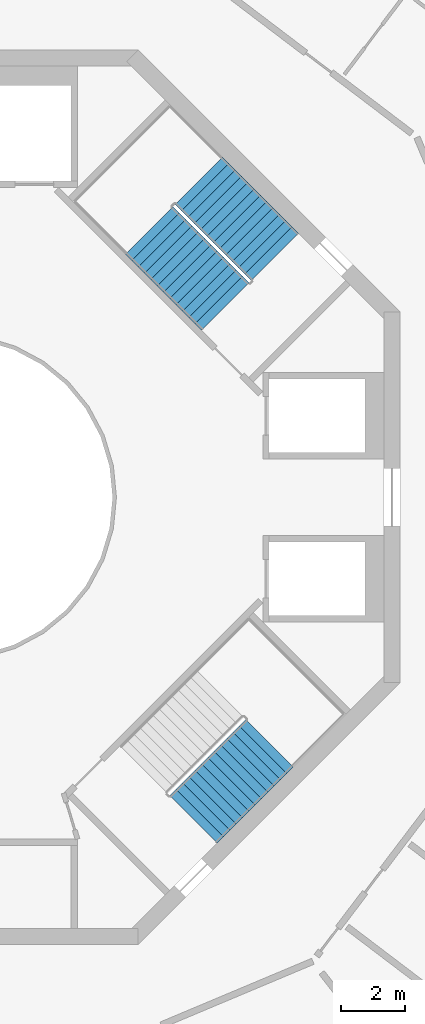
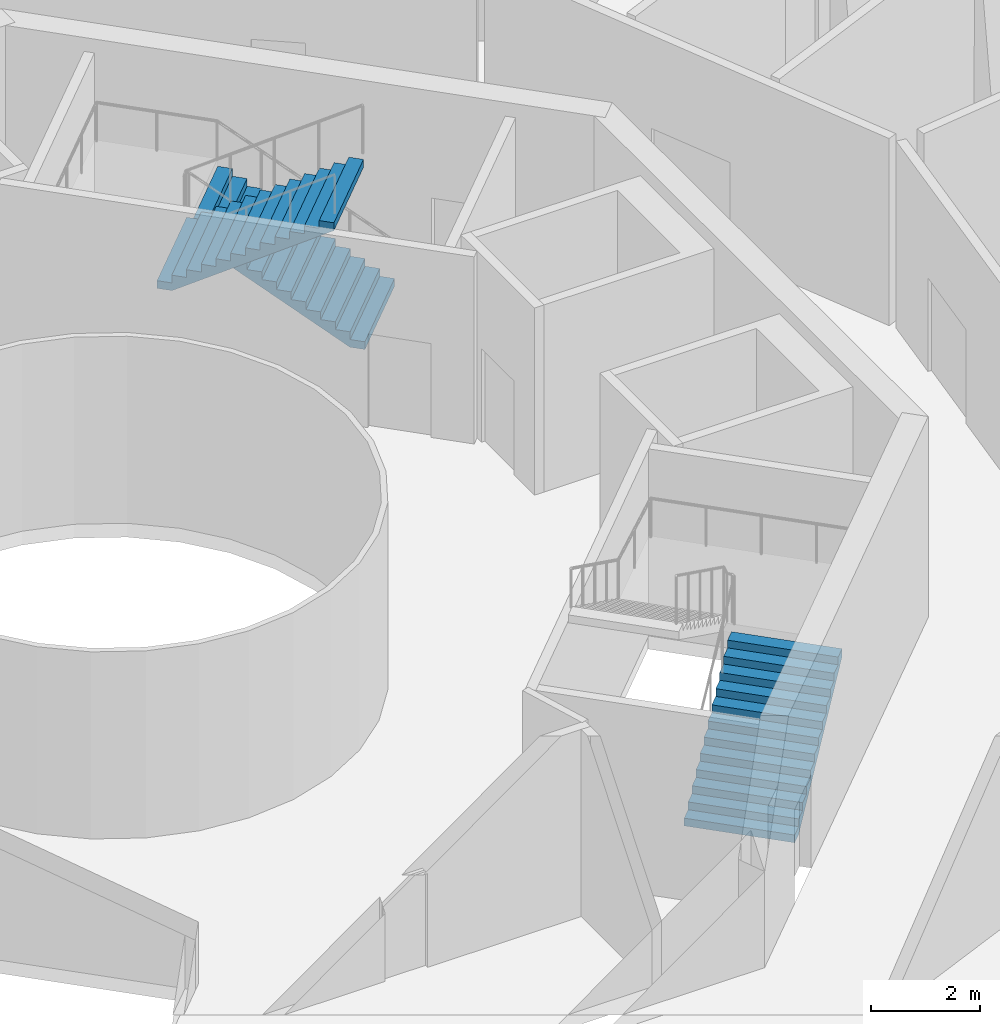
# One storey, part 17 of 18: 3 stair flights, 2 elements without a shape of their own.
"""IFC4 building model written with IfcOpenShell, lengths in metres."""

from ifc_helpers import new_model, si_unit, direction, frame, origin, place, context, subcontext, project, spatial, triangles, material, type_object, element, aggregate, save


model = new_model("IFC4")

# Units and contexts
model_context = context("Model", 3, precision=1e-05, world=origin(), true_north=direction((0.0, 1.0)))
body_context = subcontext(model_context, "Body", "Model", "MODEL_VIEW")
ifc_project = project(units=[si_unit("LENGTHUNIT", "METRE"), si_unit("AREAUNIT", "SQUARE_METRE"), si_unit("VOLUMEUNIT", "CUBIC_METRE"), si_unit("PLANEANGLEUNIT", "RADIAN"), si_unit("MASSUNIT", "GRAM", prefix="KILO")], contexts=[model_context])

# Site, building, storey
site_placement = place(None, origin())
site = spatial("IfcSite", under=ifc_project, at=site_placement, CompositionType="ELEMENT")
building_placement = place(site_placement, origin())
building = spatial("IfcBuilding", under=site, at=building_placement, Name="Verdalira Terraces Hotel", CompositionType="ELEMENT")
storey_placement = place(building_placement, frame((0.0, 0.0, 248.0)))
storey = spatial("IfcBuildingStorey", under=building, at=storey_placement, Name="L61", CompositionType="ELEMENT", Elevation=248.0)

# Stair, stair flights
ifc_material_1 = material(Name="Concrete C40", Category="concrete")
stair_type = type_object("IfcStairType", Name="Core stair 26 risers 2100 mm wide", PredefinedType="HALF_TURN_STAIR", material=ifc_material_1)
stair_1_placement = place(storey_placement, origin())
stair_1 = element("IfcStair", 1, at=stair_1_placement, inside=storey, type_object=stair_type, Name="L61 Exit stair ST1", PredefinedType="HALF_TURN_STAIR")
ifc_material_2 = material(Name="Concrete C40", Category="concrete")
stair_flight_type = type_object("IfcStairFlightType", Name="Core stair flight 26 risers 2100 mm wide", PredefinedType="STRAIGHT", material=ifc_material_2)
stair_flight_1_placement = place(storey_placement, frame((10.076172, 7.530762, 0.0), z_axis=(0.0, 0.0, 1.0), x_axis=(-0.707106781, 0.707106781, 0.0)))
stair_flight_1 = element("IfcStairFlight", 2, at=stair_flight_1_placement, type_object=stair_flight_type, Name="ST1 flight 1", NumberOfRisers=13, NumberOfTreads=12, PredefinedType="STRAIGHT", RiserHeight=0.173076923, TreadLength=0.28, context=body_context, shape_type="Tessellation", body=[
    triangles([(0.0, 1.050049, 0.0), (0.285156, 1.050049, 0.0), (3.360107, 1.050049, 1.900635), (0.0, -1.050049, 0.0), (0.285156, -1.050049, 0.0), (3.360107, -1.050049, 1.900635), (3.360107, 1.050049, 2.076904), (3.080078, 1.050049, 2.076904), (3.360107, -1.050049, 2.076904), (3.080078, -1.050049, 2.076904), (3.080078, 1.050049, 1.903809), (3.080078, -1.050049, 1.903809), (2.800049, 1.050049, 1.903809), (2.800049, -1.050049, 1.903809), (2.800049, 1.050049, 1.730713), (2.800049, -1.050049, 1.730713), (2.52002, 1.050049, 1.730713), (2.52002, 1.050049, 1.557617), (2.52002, -1.050049, 1.730713), (2.52002, -1.050049, 1.557617), (2.23999, 1.050049, 1.557617), (2.23999, 1.050049, 1.384521), (2.23999, -1.050049, 1.557617), (2.23999, -1.050049, 1.384521), (1.959961, 1.050049, 1.384521), (1.959961, 1.050049, 1.211426), (1.959961, -1.050049, 1.384521), (1.959961, -1.050049, 1.211426), (1.679932, 1.050049, 1.211426), (1.679932, 1.050049, 1.038574), (1.679932, -1.050049, 1.211426), (1.679932, -1.050049, 1.038574), (1.399902, 1.050049, 1.038574), (1.399902, 1.050049, 0.865479), (1.399902, -1.050049, 1.038574), (1.399902, -1.050049, 0.865479), (1.120117, 1.050049, 0.865479), (1.120117, 1.050049, 0.692383), (1.120117, -1.050049, 0.865479), (1.120117, -1.050049, 0.692383), (0.840088, 1.050049, 0.692383), (0.840088, 1.050049, 0.519287), (0.840088, -1.050049, 0.692383), (0.840088, -1.050049, 0.519287), (0.560059, 1.050049, 0.519287), (0.560059, 1.050049, 0.346191), (0.560059, -1.050049, 0.519287), (0.560059, -1.050049, 0.346191), (0.280029, 1.050049, 0.346191), (0.280029, 1.050049, 0.173096), (0.280029, -1.050049, 0.346191), (0.280029, -1.050049, 0.173096), (0.0, 1.050049, 0.173096), (0.0, -1.050049, 0.173096), (0.0, -0.984421, 0.0), (0.0, -0.984421, 0.173096), (0.0, -0.918793, 0.0), (0.0, -0.918793, 0.173096), (0.0, -0.853165, 0.0), (0.0, -0.853165, 0.173096), (0.0, -0.787537, 0.0), (0.0, -0.787537, 0.173096), (0.0, -0.721909, 0.0), (0.0, -0.721909, 0.173096), (0.0, -0.656281, 0.0), (0.0, -0.656281, 0.173096), (0.0, -0.590652, 0.0), (0.0, -0.590652, 0.173096), (0.0, -0.525024, 0.0), (0.0, -0.525024, 0.173096), (0.0, -0.459396, 0.0), (0.0, -0.459396, 0.173096), (0.0, -0.393768, 0.0), (0.0, -0.393768, 0.173096), (0.0, -0.32814, 0.0), (0.0, -0.32814, 0.173096), (0.0, -0.262512, 0.0), (0.0, -0.262512, 0.173096), (0.0, -0.196884, 0.0), (0.0, -0.196884, 0.173096), (0.0, -0.131256, 0.0), (0.0, -0.131256, 0.173096), (0.0, -0.065628, 0.0), (0.0, -0.065628, 0.173096), (0.0, 0.0, 0.0), (0.0, 0.0, 0.173096), (0.0, 0.065628, 0.0), (0.0, 0.065628, 0.173096), (0.0, 0.131256, 0.0), (0.0, 0.131256, 0.173096), (0.0, 0.196884, 0.0), (0.0, 0.196884, 0.173096), (0.0, 0.262512, 0.0), (0.0, 0.262512, 0.173096), (0.0, 0.32814, 0.0), (0.0, 0.32814, 0.173096), (0.0, 0.393768, 0.0), (0.0, 0.393768, 0.173096), (0.0, 0.459396, 0.0), (0.0, 0.459396, 0.173096), (0.0, 0.525024, 0.0), (0.0, 0.525024, 0.173096), (0.0, 0.590652, 0.0), (0.0, 0.590652, 0.173096), (0.0, 0.656281, 0.0), (0.0, 0.656281, 0.173096), (0.0, 0.721909, 0.0), (0.0, 0.721909, 0.173096), (0.0, 0.787537, 0.0), (0.0, 0.787537, 0.173096), (0.0, 0.853165, 0.0), (0.0, 0.853165, 0.173096), (0.0, 0.918793, 0.0), (0.0, 0.918793, 0.173096), (0.0, 0.984421, 0.0), (0.0, 0.984421, 0.173096), (3.360107, -0.984421, 2.076904), (3.360107, -0.918793, 2.076904), (3.360107, -0.853165, 2.076904), (3.360107, -0.787537, 2.076904), (3.360107, -0.721909, 2.076904), (3.360107, -0.656281, 2.076904), (3.360107, -0.590652, 2.076904), (3.360107, -0.525024, 2.076904), (3.360107, -0.459396, 2.076904), (3.360107, -0.393768, 2.076904), (3.360107, -0.32814, 2.076904), (3.360107, -0.262512, 2.076904), (3.360107, -0.196884, 2.076904), (3.360107, -0.131256, 2.076904), (3.360107, -0.065628, 2.076904), (3.360107, 0.0, 2.076904), (3.360107, 0.065628, 2.076904), (3.360107, 0.131256, 2.076904), (3.360107, 0.196884, 2.076904), (3.360107, 0.262512, 2.076904), (3.360107, 0.32814, 2.076904), (3.360107, 0.393768, 2.076904), (3.360107, 0.459396, 2.076904), (3.360107, 0.525024, 2.076904), (3.360107, 0.590652, 2.076904), (3.360107, 0.656281, 2.076904), (3.360107, 0.721909, 2.076904), (3.360107, 0.787537, 2.076904), (3.360107, 0.853165, 2.076904), (3.360107, 0.918793, 2.076904), (3.360107, 0.984421, 2.076904), (3.360107, -0.984421, 1.900635), (3.360107, -0.918793, 1.900635), (3.360107, -0.853165, 1.900635), (3.360107, -0.787537, 1.900635), (3.360107, -0.721909, 1.900635), (3.360107, -0.656281, 1.900635), (3.360107, -0.590652, 1.900635), (3.360107, -0.525024, 1.900635), (3.360107, -0.459396, 1.900635), (3.360107, -0.393768, 1.900635), (3.360107, -0.32814, 1.900635), (3.360107, -0.262512, 1.900635), (3.360107, -0.196884, 1.900635), (3.360107, -0.131256, 1.900635), (3.360107, -0.065628, 1.900635), (3.360107, 0.0, 1.900635), (3.360107, 0.065628, 1.900635), (3.360107, 0.131256, 1.900635), (3.360107, 0.196884, 1.900635), (3.360107, 0.262512, 1.900635), (3.360107, 0.32814, 1.900635), (3.360107, 0.393768, 1.900635), (3.360107, 0.459396, 1.900635), (3.360107, 0.525024, 1.900635), (3.360107, 0.590652, 1.900635), (3.360107, 0.656281, 1.900635), (3.360107, 0.721909, 1.900635), (3.360107, 0.787537, 1.900635), (3.360107, 0.853165, 1.900635), (3.360107, 0.918793, 1.900635), (3.360107, 0.984421, 1.900635)], [[1, 3, 2], [4, 5, 6], [3, 8, 7], [6, 9, 10], [3, 11, 8], [6, 10, 12], [3, 13, 11], [6, 12, 14], [3, 15, 13], [6, 14, 16], [15, 18, 17], [16, 19, 20], [3, 18, 15], [6, 16, 20], [18, 22, 21], [20, 23, 24], [3, 22, 18], [6, 20, 24], [22, 26, 25], [24, 27, 28], [3, 26, 22], [6, 24, 28], [1, 26, 3], [4, 6, 28], [26, 30, 29], [28, 31, 32], [30, 34, 33], [32, 35, 36], [26, 34, 30], [28, 32, 36], [34, 38, 37], [36, 39, 40], [26, 38, 34], [28, 36, 40], [38, 42, 41], [40, 43, 44], [26, 42, 38], [28, 40, 44], [42, 46, 45], [44, 47, 48], [26, 46, 42], [28, 44, 48], [46, 50, 49], [48, 51, 52], [26, 50, 46], [28, 48, 52], [1, 50, 26], [4, 28, 52], [50, 1, 53], [52, 54, 4], [4, 56, 55], [4, 54, 56], [55, 58, 57], [55, 56, 58], [57, 60, 59], [57, 58, 60], [59, 62, 61], [59, 60, 62], [61, 64, 63], [61, 62, 64], [63, 66, 65], [63, 64, 66], [65, 68, 67], [65, 66, 68], [67, 70, 69], [67, 68, 70], [69, 72, 71], [69, 70, 72], [71, 74, 73], [71, 72, 74], [73, 76, 75], [73, 74, 76], [75, 78, 77], [75, 76, 78], [77, 80, 79], [77, 78, 80], [79, 82, 81], [79, 80, 82], [81, 84, 83], [81, 82, 84], [83, 86, 85], [83, 84, 86], [85, 88, 87], [85, 86, 88], [87, 90, 89], [87, 88, 90], [89, 92, 91], [89, 90, 92], [91, 94, 93], [91, 92, 94], [93, 96, 95], [93, 94, 96], [95, 98, 97], [95, 96, 98], [97, 100, 99], [97, 98, 100], [99, 102, 101], [99, 100, 102], [101, 104, 103], [101, 102, 104], [103, 106, 105], [103, 104, 106], [105, 108, 107], [105, 106, 108], [107, 110, 109], [107, 108, 110], [109, 112, 111], [109, 110, 112], [111, 114, 113], [111, 112, 114], [113, 116, 115], [113, 114, 116], [115, 53, 1], [115, 116, 53], [54, 52, 56], [56, 52, 58], [58, 52, 60], [60, 52, 62], [62, 52, 64], [64, 52, 66], [66, 52, 68], [68, 52, 70], [70, 52, 72], [72, 52, 74], [74, 52, 76], [76, 52, 78], [78, 52, 80], [80, 52, 82], [82, 52, 84], [84, 52, 86], [86, 52, 88], [88, 52, 90], [90, 52, 92], [92, 52, 94], [94, 52, 96], [96, 52, 98], [98, 52, 100], [100, 52, 102], [102, 52, 104], [104, 52, 106], [106, 52, 108], [108, 52, 110], [110, 52, 112], [112, 52, 114], [114, 52, 116], [116, 52, 53], [53, 52, 50], [52, 49, 50], [52, 51, 49], [51, 46, 49], [51, 48, 46], [48, 45, 46], [48, 47, 45], [47, 42, 45], [47, 44, 42], [44, 41, 42], [44, 43, 41], [43, 38, 41], [43, 40, 38], [40, 37, 38], [40, 39, 37], [39, 34, 37], [39, 36, 34], [36, 33, 34], [36, 35, 33], [35, 30, 33], [35, 32, 30], [32, 29, 30], [32, 31, 29], [31, 26, 29], [31, 28, 26], [28, 25, 26], [28, 27, 25], [27, 22, 25], [27, 24, 22], [24, 21, 22], [24, 23, 21], [23, 18, 21], [23, 20, 18], [20, 17, 18], [20, 19, 17], [19, 15, 17], [19, 16, 15], [16, 13, 15], [16, 14, 13], [14, 11, 13], [14, 12, 11], [12, 8, 11], [12, 10, 8], [9, 117, 10], [117, 118, 10], [118, 119, 10], [119, 120, 10], [120, 121, 10], [121, 122, 10], [122, 123, 10], [123, 124, 10], [124, 125, 10], [125, 126, 10], [126, 127, 10], [127, 128, 10], [128, 129, 10], [129, 130, 10], [130, 131, 10], [131, 132, 10], [132, 133, 10], [133, 134, 10], [134, 135, 10], [135, 136, 10], [136, 137, 10], [137, 138, 10], [138, 139, 10], [139, 140, 10], [140, 141, 10], [141, 142, 10], [142, 143, 10], [143, 144, 10], [144, 145, 10], [145, 146, 10], [146, 147, 10], [147, 7, 10], [7, 8, 10], [9, 148, 117], [9, 6, 148], [117, 149, 118], [117, 148, 149], [118, 150, 119], [118, 149, 150], [119, 151, 120], [119, 150, 151], [120, 152, 121], [120, 151, 152], [121, 153, 122], [121, 152, 153], [122, 154, 123], [122, 153, 154], [123, 155, 124], [123, 154, 155], [124, 156, 125], [124, 155, 156], [125, 157, 126], [125, 156, 157], [126, 158, 127], [126, 157, 158], [127, 159, 128], [127, 158, 159], [128, 160, 129], [128, 159, 160], [129, 161, 130], [129, 160, 161], [130, 162, 131], [130, 161, 162], [131, 163, 132], [131, 162, 163], [132, 164, 133], [132, 163, 164], [133, 165, 134], [133, 164, 165], [134, 166, 135], [134, 165, 166], [135, 167, 136], [135, 166, 167], [136, 168, 137], [136, 167, 168], [137, 169, 138], [137, 168, 169], [138, 170, 139], [138, 169, 170], [139, 171, 140], [139, 170, 171], [140, 172, 141], [140, 171, 172], [141, 173, 142], [141, 172, 173], [142, 174, 143], [142, 173, 174], [143, 175, 144], [143, 174, 175], [144, 176, 145], [144, 175, 176], [145, 177, 146], [145, 176, 177], [146, 178, 147], [146, 177, 178], [147, 3, 7], [147, 178, 3], [6, 5, 148], [148, 5, 149], [149, 5, 150], [150, 5, 151], [151, 5, 152], [152, 5, 153], [153, 5, 154], [154, 5, 155], [155, 5, 156], [156, 5, 157], [157, 5, 158], [158, 5, 159], [159, 5, 160], [160, 5, 161], [161, 5, 162], [162, 5, 163], [163, 5, 164], [164, 5, 165], [165, 5, 166], [166, 5, 167], [167, 5, 168], [168, 5, 169], [169, 5, 170], [170, 5, 171], [171, 5, 172], [172, 5, 173], [173, 5, 174], [174, 5, 175], [175, 5, 176], [176, 5, 177], [177, 5, 178], [178, 5, 3], [3, 5, 2], [4, 55, 5], [55, 57, 5], [57, 59, 5], [59, 61, 5], [61, 63, 5], [63, 65, 5], [65, 67, 5], [67, 69, 5], [69, 71, 5], [71, 73, 5], [73, 75, 5], [75, 77, 5], [77, 79, 5], [79, 81, 5], [81, 83, 5], [83, 85, 5], [85, 87, 5], [87, 89, 5], [89, 91, 5], [91, 93, 5], [93, 95, 5], [95, 97, 5], [97, 99, 5], [99, 101, 5], [101, 103, 5], [103, 105, 5], [105, 107, 5], [107, 109, 5], [109, 111, 5], [111, 113, 5], [113, 115, 5], [115, 1, 5], [1, 2, 5]], closed=True),
])
stair_flight_2_placement = place(storey_placement, frame((6.144775, 8.35083, 2.25), z_axis=(0.0, 0.0, 1.0), x_axis=(0.707106781, -0.707106781, 0.0)))
stair_flight_2 = element("IfcStairFlight", 3, at=stair_flight_2_placement, type_object=stair_flight_type, Name="ST1 flight 2", NumberOfRisers=13, NumberOfTreads=12, PredefinedType="STRAIGHT", RiserHeight=0.173076923, TreadLength=0.28, context=body_context, shape_type="Tessellation", body=[
    triangles([(0.0, 1.050049, 0.0), (0.285156, 1.050049, 0.0), (3.360107, 1.050049, 1.900635), (0.0, -1.050049, 0.0), (0.285156, -1.050049, 0.0), (3.360107, -1.050049, 1.900635), (3.360107, 1.050049, 2.076904), (3.080078, 1.050049, 2.076904), (3.360107, -1.050049, 2.076904), (3.080078, -1.050049, 2.076904), (3.080078, 1.050049, 1.903809), (3.080078, -1.050049, 1.903809), (2.800049, 1.050049, 1.903809), (2.800049, -1.050049, 1.903809), (2.800049, 1.050049, 1.730713), (2.800049, -1.050049, 1.730713), (2.52002, 1.050049, 1.730713), (2.52002, 1.050049, 1.557617), (2.52002, -1.050049, 1.730713), (2.52002, -1.050049, 1.557617), (2.23999, 1.050049, 1.557617), (2.23999, 1.050049, 1.384521), (2.23999, -1.050049, 1.557617), (2.23999, -1.050049, 1.384521), (1.959961, 1.050049, 1.384521), (1.959961, 1.050049, 1.211426), (1.959961, -1.050049, 1.384521), (1.959961, -1.050049, 1.211426), (1.679932, 1.050049, 1.211426), (1.679932, 1.050049, 1.038574), (1.679932, -1.050049, 1.211426), (1.679932, -1.050049, 1.038574), (1.399902, 1.050049, 1.038574), (1.399902, 1.050049, 0.865479), (1.399902, -1.050049, 1.038574), (1.399902, -1.050049, 0.865479), (1.120117, 1.050049, 0.865479), (1.120117, 1.050049, 0.692383), (1.120117, -1.050049, 0.865479), (1.120117, -1.050049, 0.692383), (0.840088, 1.050049, 0.692383), (0.840088, 1.050049, 0.519287), (0.840088, -1.050049, 0.692383), (0.840088, -1.050049, 0.519287), (0.560059, 1.050049, 0.519287), (0.560059, 1.050049, 0.346191), (0.560059, -1.050049, 0.519287), (0.560059, -1.050049, 0.346191), (0.280029, 1.050049, 0.346191), (0.280029, 1.050049, 0.173096), (0.280029, -1.050049, 0.346191), (0.280029, -1.050049, 0.173096), (0.0, 1.050049, 0.173096), (0.0, -1.050049, 0.173096), (0.0, -0.984421, 0.0), (0.0, -0.984421, 0.173096), (0.0, -0.918793, 0.0), (0.0, -0.918793, 0.173096), (0.0, -0.853165, 0.0), (0.0, -0.853165, 0.173096), (0.0, -0.787537, 0.0), (0.0, -0.787537, 0.173096), (0.0, -0.721909, 0.0), (0.0, -0.721909, 0.173096), (0.0, -0.656281, 0.0), (0.0, -0.656281, 0.173096), (0.0, -0.590652, 0.0), (0.0, -0.590652, 0.173096), (0.0, -0.525024, 0.0), (0.0, -0.525024, 0.173096), (0.0, -0.459396, 0.0), (0.0, -0.459396, 0.173096), (0.0, -0.393768, 0.0), (0.0, -0.393768, 0.173096), (0.0, -0.32814, 0.0), (0.0, -0.32814, 0.173096), (0.0, -0.262512, 0.0), (0.0, -0.262512, 0.173096), (0.0, -0.196884, 0.0), (0.0, -0.196884, 0.173096), (0.0, -0.131256, 0.0), (0.0, -0.131256, 0.173096), (0.0, -0.065628, 0.0), (0.0, -0.065628, 0.173096), (0.0, 0.0, 0.0), (0.0, 0.0, 0.173096), (0.0, 0.065628, 0.0), (0.0, 0.065628, 0.173096), (0.0, 0.131256, 0.0), (0.0, 0.131256, 0.173096), (0.0, 0.196884, 0.0), (0.0, 0.196884, 0.173096), (0.0, 0.262512, 0.0), (0.0, 0.262512, 0.173096), (0.0, 0.32814, 0.0), (0.0, 0.32814, 0.173096), (0.0, 0.393768, 0.0), (0.0, 0.393768, 0.173096), (0.0, 0.459396, 0.0), (0.0, 0.459396, 0.173096), (0.0, 0.525024, 0.0), (0.0, 0.525024, 0.173096), (0.0, 0.590652, 0.0), (0.0, 0.590652, 0.173096), (0.0, 0.656281, 0.0), (0.0, 0.656281, 0.173096), (0.0, 0.721909, 0.0), (0.0, 0.721909, 0.173096), (0.0, 0.787537, 0.0), (0.0, 0.787537, 0.173096), (0.0, 0.853165, 0.0), (0.0, 0.853165, 0.173096), (0.0, 0.918793, 0.0), (0.0, 0.918793, 0.173096), (0.0, 0.984421, 0.0), (0.0, 0.984421, 0.173096), (3.360107, -0.984421, 2.076904), (3.360107, -0.918793, 2.076904), (3.360107, -0.853165, 2.076904), (3.360107, -0.787537, 2.076904), (3.360107, -0.721909, 2.076904), (3.360107, -0.656281, 2.076904), (3.360107, -0.590652, 2.076904), (3.360107, -0.525024, 2.076904), (3.360107, -0.459396, 2.076904), (3.360107, -0.393768, 2.076904), (3.360107, -0.32814, 2.076904), (3.360107, -0.262512, 2.076904), (3.360107, -0.196884, 2.076904), (3.360107, -0.131256, 2.076904), (3.360107, -0.065628, 2.076904), (3.360107, 0.0, 2.076904), (3.360107, 0.065628, 2.076904), (3.360107, 0.131256, 2.076904), (3.360107, 0.196884, 2.076904), (3.360107, 0.262512, 2.076904), (3.360107, 0.32814, 2.076904), (3.360107, 0.393768, 2.076904), (3.360107, 0.459396, 2.076904), (3.360107, 0.525024, 2.076904), (3.360107, 0.590652, 2.076904), (3.360107, 0.656281, 2.076904), (3.360107, 0.721909, 2.076904), (3.360107, 0.787537, 2.076904), (3.360107, 0.853165, 2.076904), (3.360107, 0.918793, 2.076904), (3.360107, 0.984421, 2.076904), (3.360107, -0.984421, 1.900635), (3.360107, -0.918793, 1.900635), (3.360107, -0.853165, 1.900635), (3.360107, -0.787537, 1.900635), (3.360107, -0.721909, 1.900635), (3.360107, -0.656281, 1.900635), (3.360107, -0.590652, 1.900635), (3.360107, -0.525024, 1.900635), (3.360107, -0.459396, 1.900635), (3.360107, -0.393768, 1.900635), (3.360107, -0.32814, 1.900635), (3.360107, -0.262512, 1.900635), (3.360107, -0.196884, 1.900635), (3.360107, -0.131256, 1.900635), (3.360107, -0.065628, 1.900635), (3.360107, 0.0, 1.900635), (3.360107, 0.065628, 1.900635), (3.360107, 0.131256, 1.900635), (3.360107, 0.196884, 1.900635), (3.360107, 0.262512, 1.900635), (3.360107, 0.32814, 1.900635), (3.360107, 0.393768, 1.900635), (3.360107, 0.459396, 1.900635), (3.360107, 0.525024, 1.900635), (3.360107, 0.590652, 1.900635), (3.360107, 0.656281, 1.900635), (3.360107, 0.721909, 1.900635), (3.360107, 0.787537, 1.900635), (3.360107, 0.853165, 1.900635), (3.360107, 0.918793, 1.900635), (3.360107, 0.984421, 1.900635)], [[1, 3, 2], [4, 5, 6], [3, 8, 7], [6, 9, 10], [3, 11, 8], [6, 10, 12], [3, 13, 11], [6, 12, 14], [3, 15, 13], [6, 14, 16], [15, 18, 17], [16, 19, 20], [3, 18, 15], [6, 16, 20], [18, 22, 21], [20, 23, 24], [3, 22, 18], [6, 20, 24], [22, 26, 25], [24, 27, 28], [3, 26, 22], [6, 24, 28], [1, 26, 3], [4, 6, 28], [26, 30, 29], [28, 31, 32], [30, 34, 33], [32, 35, 36], [26, 34, 30], [28, 32, 36], [34, 38, 37], [36, 39, 40], [26, 38, 34], [28, 36, 40], [38, 42, 41], [40, 43, 44], [26, 42, 38], [28, 40, 44], [42, 46, 45], [44, 47, 48], [26, 46, 42], [28, 44, 48], [46, 50, 49], [48, 51, 52], [26, 50, 46], [28, 48, 52], [1, 50, 26], [4, 28, 52], [50, 1, 53], [52, 54, 4], [4, 56, 55], [4, 54, 56], [55, 58, 57], [55, 56, 58], [57, 60, 59], [57, 58, 60], [59, 62, 61], [59, 60, 62], [61, 64, 63], [61, 62, 64], [63, 66, 65], [63, 64, 66], [65, 68, 67], [65, 66, 68], [67, 70, 69], [67, 68, 70], [69, 72, 71], [69, 70, 72], [71, 74, 73], [71, 72, 74], [73, 76, 75], [73, 74, 76], [75, 78, 77], [75, 76, 78], [77, 80, 79], [77, 78, 80], [79, 82, 81], [79, 80, 82], [81, 84, 83], [81, 82, 84], [83, 86, 85], [83, 84, 86], [85, 88, 87], [85, 86, 88], [87, 90, 89], [87, 88, 90], [89, 92, 91], [89, 90, 92], [91, 94, 93], [91, 92, 94], [93, 96, 95], [93, 94, 96], [95, 98, 97], [95, 96, 98], [97, 100, 99], [97, 98, 100], [99, 102, 101], [99, 100, 102], [101, 104, 103], [101, 102, 104], [103, 106, 105], [103, 104, 106], [105, 108, 107], [105, 106, 108], [107, 110, 109], [107, 108, 110], [109, 112, 111], [109, 110, 112], [111, 114, 113], [111, 112, 114], [113, 116, 115], [113, 114, 116], [115, 53, 1], [115, 116, 53], [54, 52, 56], [56, 52, 58], [58, 52, 60], [60, 52, 62], [62, 52, 64], [64, 52, 66], [66, 52, 68], [68, 52, 70], [70, 52, 72], [72, 52, 74], [74, 52, 76], [76, 52, 78], [78, 52, 80], [80, 52, 82], [82, 52, 84], [84, 52, 86], [86, 52, 88], [88, 52, 90], [90, 52, 92], [92, 52, 94], [94, 52, 96], [96, 52, 98], [98, 52, 100], [100, 52, 102], [102, 52, 104], [104, 52, 106], [106, 52, 108], [108, 52, 110], [110, 52, 112], [112, 52, 114], [114, 52, 116], [116, 52, 53], [53, 52, 50], [52, 49, 50], [52, 51, 49], [51, 46, 49], [51, 48, 46], [48, 45, 46], [48, 47, 45], [47, 42, 45], [47, 44, 42], [44, 41, 42], [44, 43, 41], [43, 38, 41], [43, 40, 38], [40, 37, 38], [40, 39, 37], [39, 34, 37], [39, 36, 34], [36, 33, 34], [36, 35, 33], [35, 30, 33], [35, 32, 30], [32, 29, 30], [32, 31, 29], [31, 26, 29], [31, 28, 26], [28, 25, 26], [28, 27, 25], [27, 22, 25], [27, 24, 22], [24, 21, 22], [24, 23, 21], [23, 18, 21], [23, 20, 18], [20, 17, 18], [20, 19, 17], [19, 15, 17], [19, 16, 15], [16, 13, 15], [16, 14, 13], [14, 11, 13], [14, 12, 11], [12, 8, 11], [12, 10, 8], [9, 117, 10], [117, 118, 10], [118, 119, 10], [119, 120, 10], [120, 121, 10], [121, 122, 10], [122, 123, 10], [123, 124, 10], [124, 125, 10], [125, 126, 10], [126, 127, 10], [127, 128, 10], [128, 129, 10], [129, 130, 10], [130, 131, 10], [131, 132, 10], [132, 133, 10], [133, 134, 10], [134, 135, 10], [135, 136, 10], [136, 137, 10], [137, 138, 10], [138, 139, 10], [139, 140, 10], [140, 141, 10], [141, 142, 10], [142, 143, 10], [143, 144, 10], [144, 145, 10], [145, 146, 10], [146, 147, 10], [147, 7, 10], [7, 8, 10], [9, 148, 117], [9, 6, 148], [117, 149, 118], [117, 148, 149], [118, 150, 119], [118, 149, 150], [119, 151, 120], [119, 150, 151], [120, 152, 121], [120, 151, 152], [121, 153, 122], [121, 152, 153], [122, 154, 123], [122, 153, 154], [123, 155, 124], [123, 154, 155], [124, 156, 125], [124, 155, 156], [125, 157, 126], [125, 156, 157], [126, 158, 127], [126, 157, 158], [127, 159, 128], [127, 158, 159], [128, 160, 129], [128, 159, 160], [129, 161, 130], [129, 160, 161], [130, 162, 131], [130, 161, 162], [131, 163, 132], [131, 162, 163], [132, 164, 133], [132, 163, 164], [133, 165, 134], [133, 164, 165], [134, 166, 135], [134, 165, 166], [135, 167, 136], [135, 166, 167], [136, 168, 137], [136, 167, 168], [137, 169, 138], [137, 168, 169], [138, 170, 139], [138, 169, 170], [139, 171, 140], [139, 170, 171], [140, 172, 141], [140, 171, 172], [141, 173, 142], [141, 172, 173], [142, 174, 143], [142, 173, 174], [143, 175, 144], [143, 174, 175], [144, 176, 145], [144, 175, 176], [145, 177, 146], [145, 176, 177], [146, 178, 147], [146, 177, 178], [147, 3, 7], [147, 178, 3], [6, 5, 148], [148, 5, 149], [149, 5, 150], [150, 5, 151], [151, 5, 152], [152, 5, 153], [153, 5, 154], [154, 5, 155], [155, 5, 156], [156, 5, 157], [157, 5, 158], [158, 5, 159], [159, 5, 160], [160, 5, 161], [161, 5, 162], [162, 5, 163], [163, 5, 164], [164, 5, 165], [165, 5, 166], [166, 5, 167], [167, 5, 168], [168, 5, 169], [169, 5, 170], [170, 5, 171], [171, 5, 172], [172, 5, 173], [173, 5, 174], [174, 5, 175], [175, 5, 176], [176, 5, 177], [177, 5, 178], [178, 5, 3], [3, 5, 2], [4, 55, 5], [55, 57, 5], [57, 59, 5], [59, 61, 5], [61, 63, 5], [63, 65, 5], [65, 67, 5], [67, 69, 5], [69, 71, 5], [71, 73, 5], [73, 75, 5], [75, 77, 5], [77, 79, 5], [79, 81, 5], [81, 83, 5], [83, 85, 5], [85, 87, 5], [87, 89, 5], [89, 91, 5], [91, 93, 5], [93, 95, 5], [95, 97, 5], [97, 99, 5], [99, 101, 5], [101, 103, 5], [103, 105, 5], [105, 107, 5], [107, 109, 5], [109, 111, 5], [111, 113, 5], [113, 115, 5], [115, 1, 5], [1, 2, 5]], closed=True),
])
aggregate(stair_1, [stair_flight_1, stair_flight_2])

# Stair, stair flight
stair_2_placement = place(storey_placement, origin())
stair_2 = element("IfcStair", 4, at=stair_2_placement, inside=storey, type_object=stair_type, Name="L61 Exit stair ST3", PredefinedType="HALF_TURN_STAIR")
stair_flight_3_placement = place(storey_placement, frame((7.530762, -10.076172, 0.0), z_axis=(0.0, 0.0, 1.0), x_axis=(0.707106781, 0.707106781, 0.0)))
stair_flight_3 = element("IfcStairFlight", 5, at=stair_flight_3_placement, type_object=stair_flight_type, Name="ST3 flight 1", NumberOfRisers=13, NumberOfTreads=12, PredefinedType="STRAIGHT", RiserHeight=0.173076923, TreadLength=0.28, context=body_context, shape_type="Tessellation", body=[
    triangles([(0.0, 1.050049, 0.0), (0.285156, 1.050049, 0.0), (3.360107, 1.050049, 1.900635), (0.0, -1.050049, 0.0), (0.285156, -1.050049, 0.0), (3.360107, -1.050049, 1.900635), (3.360107, 1.050049, 2.076904), (3.080078, 1.050049, 2.076904), (3.360107, -1.050049, 2.076904), (3.080078, -1.050049, 2.076904), (3.080078, 1.050049, 1.903809), (3.080078, -1.050049, 1.903809), (2.800049, 1.050049, 1.903809), (2.800049, -1.050049, 1.903809), (2.800049, 1.050049, 1.730713), (2.800049, -1.050049, 1.730713), (2.52002, 1.050049, 1.730713), (2.52002, 1.050049, 1.557617), (2.52002, -1.050049, 1.730713), (2.52002, -1.050049, 1.557617), (2.23999, 1.050049, 1.557617), (2.23999, 1.050049, 1.384521), (2.23999, -1.050049, 1.557617), (2.23999, -1.050049, 1.384521), (1.959961, 1.050049, 1.384521), (1.959961, 1.050049, 1.211426), (1.959961, -1.050049, 1.384521), (1.959961, -1.050049, 1.211426), (1.679932, 1.050049, 1.211426), (1.679932, 1.050049, 1.038574), (1.679932, -1.050049, 1.211426), (1.679932, -1.050049, 1.038574), (1.399902, 1.050049, 1.038574), (1.399902, 1.050049, 0.865479), (1.399902, -1.050049, 1.038574), (1.399902, -1.050049, 0.865479), (1.120117, 1.050049, 0.865479), (1.120117, 1.050049, 0.692383), (1.120117, -1.050049, 0.865479), (1.120117, -1.050049, 0.692383), (0.840088, 1.050049, 0.692383), (0.840088, 1.050049, 0.519287), (0.840088, -1.050049, 0.692383), (0.840088, -1.050049, 0.519287), (0.560059, 1.050049, 0.519287), (0.560059, 1.050049, 0.346191), (0.560059, -1.050049, 0.519287), (0.560059, -1.050049, 0.346191), (0.280029, 1.050049, 0.346191), (0.280029, 1.050049, 0.173096), (0.280029, -1.050049, 0.346191), (0.280029, -1.050049, 0.173096), (0.0, 1.050049, 0.173096), (0.0, -1.050049, 0.173096), (0.0, -0.984421, 0.0), (0.0, -0.984421, 0.173096), (0.0, -0.918793, 0.0), (0.0, -0.918793, 0.173096), (0.0, -0.853165, 0.0), (0.0, -0.853165, 0.173096), (0.0, -0.787537, 0.0), (0.0, -0.787537, 0.173096), (0.0, -0.721909, 0.0), (0.0, -0.721909, 0.173096), (0.0, -0.656281, 0.0), (0.0, -0.656281, 0.173096), (0.0, -0.590652, 0.0), (0.0, -0.590652, 0.173096), (0.0, -0.525024, 0.0), (0.0, -0.525024, 0.173096), (0.0, -0.459396, 0.0), (0.0, -0.459396, 0.173096), (0.0, -0.393768, 0.0), (0.0, -0.393768, 0.173096), (0.0, -0.32814, 0.0), (0.0, -0.32814, 0.173096), (0.0, -0.262512, 0.0), (0.0, -0.262512, 0.173096), (0.0, -0.196884, 0.0), (0.0, -0.196884, 0.173096), (0.0, -0.131256, 0.0), (0.0, -0.131256, 0.173096), (0.0, -0.065628, 0.0), (0.0, -0.065628, 0.173096), (0.0, 0.0, 0.0), (0.0, 0.0, 0.173096), (0.0, 0.065628, 0.0), (0.0, 0.065628, 0.173096), (0.0, 0.131256, 0.0), (0.0, 0.131256, 0.173096), (0.0, 0.196884, 0.0), (0.0, 0.196884, 0.173096), (0.0, 0.262512, 0.0), (0.0, 0.262512, 0.173096), (0.0, 0.32814, 0.0), (0.0, 0.32814, 0.173096), (0.0, 0.393768, 0.0), (0.0, 0.393768, 0.173096), (0.0, 0.459396, 0.0), (0.0, 0.459396, 0.173096), (0.0, 0.525024, 0.0), (0.0, 0.525024, 0.173096), (0.0, 0.590652, 0.0), (0.0, 0.590652, 0.173096), (0.0, 0.656281, 0.0), (0.0, 0.656281, 0.173096), (0.0, 0.721909, 0.0), (0.0, 0.721909, 0.173096), (0.0, 0.787537, 0.0), (0.0, 0.787537, 0.173096), (0.0, 0.853165, 0.0), (0.0, 0.853165, 0.173096), (0.0, 0.918793, 0.0), (0.0, 0.918793, 0.173096), (0.0, 0.984421, 0.0), (0.0, 0.984421, 0.173096), (3.360107, -0.984421, 2.076904), (3.360107, -0.918793, 2.076904), (3.360107, -0.853165, 2.076904), (3.360107, -0.787537, 2.076904), (3.360107, -0.721909, 2.076904), (3.360107, -0.656281, 2.076904), (3.360107, -0.590652, 2.076904), (3.360107, -0.525024, 2.076904), (3.360107, -0.459396, 2.076904), (3.360107, -0.393768, 2.076904), (3.360107, -0.32814, 2.076904), (3.360107, -0.262512, 2.076904), (3.360107, -0.196884, 2.076904), (3.360107, -0.131256, 2.076904), (3.360107, -0.065628, 2.076904), (3.360107, 0.0, 2.076904), (3.360107, 0.065628, 2.076904), (3.360107, 0.131256, 2.076904), (3.360107, 0.196884, 2.076904), (3.360107, 0.262512, 2.076904), (3.360107, 0.32814, 2.076904), (3.360107, 0.393768, 2.076904), (3.360107, 0.459396, 2.076904), (3.360107, 0.525024, 2.076904), (3.360107, 0.590652, 2.076904), (3.360107, 0.656281, 2.076904), (3.360107, 0.721909, 2.076904), (3.360107, 0.787537, 2.076904), (3.360107, 0.853165, 2.076904), (3.360107, 0.918793, 2.076904), (3.360107, 0.984421, 2.076904), (3.360107, -0.984421, 1.900635), (3.360107, -0.918793, 1.900635), (3.360107, -0.853165, 1.900635), (3.360107, -0.787537, 1.900635), (3.360107, -0.721909, 1.900635), (3.360107, -0.656281, 1.900635), (3.360107, -0.590652, 1.900635), (3.360107, -0.525024, 1.900635), (3.360107, -0.459396, 1.900635), (3.360107, -0.393768, 1.900635), (3.360107, -0.32814, 1.900635), (3.360107, -0.262512, 1.900635), (3.360107, -0.196884, 1.900635), (3.360107, -0.131256, 1.900635), (3.360107, -0.065628, 1.900635), (3.360107, 0.0, 1.900635), (3.360107, 0.065628, 1.900635), (3.360107, 0.131256, 1.900635), (3.360107, 0.196884, 1.900635), (3.360107, 0.262512, 1.900635), (3.360107, 0.32814, 1.900635), (3.360107, 0.393768, 1.900635), (3.360107, 0.459396, 1.900635), (3.360107, 0.525024, 1.900635), (3.360107, 0.590652, 1.900635), (3.360107, 0.656281, 1.900635), (3.360107, 0.721909, 1.900635), (3.360107, 0.787537, 1.900635), (3.360107, 0.853165, 1.900635), (3.360107, 0.918793, 1.900635), (3.360107, 0.984421, 1.900635)], [[1, 3, 2], [4, 5, 6], [3, 8, 7], [6, 9, 10], [3, 11, 8], [6, 10, 12], [3, 13, 11], [6, 12, 14], [3, 15, 13], [6, 14, 16], [15, 18, 17], [16, 19, 20], [3, 18, 15], [6, 16, 20], [18, 22, 21], [20, 23, 24], [3, 22, 18], [6, 20, 24], [22, 26, 25], [24, 27, 28], [3, 26, 22], [6, 24, 28], [1, 26, 3], [4, 6, 28], [26, 30, 29], [28, 31, 32], [30, 34, 33], [32, 35, 36], [26, 34, 30], [28, 32, 36], [34, 38, 37], [36, 39, 40], [26, 38, 34], [28, 36, 40], [38, 42, 41], [40, 43, 44], [26, 42, 38], [28, 40, 44], [42, 46, 45], [44, 47, 48], [26, 46, 42], [28, 44, 48], [46, 50, 49], [48, 51, 52], [26, 50, 46], [28, 48, 52], [1, 50, 26], [4, 28, 52], [50, 1, 53], [52, 54, 4], [4, 56, 55], [4, 54, 56], [55, 58, 57], [55, 56, 58], [57, 60, 59], [57, 58, 60], [59, 62, 61], [59, 60, 62], [61, 64, 63], [61, 62, 64], [63, 66, 65], [63, 64, 66], [65, 68, 67], [65, 66, 68], [67, 70, 69], [67, 68, 70], [69, 72, 71], [69, 70, 72], [71, 74, 73], [71, 72, 74], [73, 76, 75], [73, 74, 76], [75, 78, 77], [75, 76, 78], [77, 80, 79], [77, 78, 80], [79, 82, 81], [79, 80, 82], [81, 84, 83], [81, 82, 84], [83, 86, 85], [83, 84, 86], [85, 88, 87], [85, 86, 88], [87, 90, 89], [87, 88, 90], [89, 92, 91], [89, 90, 92], [91, 94, 93], [91, 92, 94], [93, 96, 95], [93, 94, 96], [95, 98, 97], [95, 96, 98], [97, 100, 99], [97, 98, 100], [99, 102, 101], [99, 100, 102], [101, 104, 103], [101, 102, 104], [103, 106, 105], [103, 104, 106], [105, 108, 107], [105, 106, 108], [107, 110, 109], [107, 108, 110], [109, 112, 111], [109, 110, 112], [111, 114, 113], [111, 112, 114], [113, 116, 115], [113, 114, 116], [115, 53, 1], [115, 116, 53], [54, 52, 56], [56, 52, 58], [58, 52, 60], [60, 52, 62], [62, 52, 64], [64, 52, 66], [66, 52, 68], [68, 52, 70], [70, 52, 72], [72, 52, 74], [74, 52, 76], [76, 52, 78], [78, 52, 80], [80, 52, 82], [82, 52, 84], [84, 52, 86], [86, 52, 88], [88, 52, 90], [90, 52, 92], [92, 52, 94], [94, 52, 96], [96, 52, 98], [98, 52, 100], [100, 52, 102], [102, 52, 104], [104, 52, 106], [106, 52, 108], [108, 52, 110], [110, 52, 112], [112, 52, 114], [114, 52, 116], [116, 52, 53], [53, 52, 50], [52, 49, 50], [52, 51, 49], [51, 46, 49], [51, 48, 46], [48, 45, 46], [48, 47, 45], [47, 42, 45], [47, 44, 42], [44, 41, 42], [44, 43, 41], [43, 38, 41], [43, 40, 38], [40, 37, 38], [40, 39, 37], [39, 34, 37], [39, 36, 34], [36, 33, 34], [36, 35, 33], [35, 30, 33], [35, 32, 30], [32, 29, 30], [32, 31, 29], [31, 26, 29], [31, 28, 26], [28, 25, 26], [28, 27, 25], [27, 22, 25], [27, 24, 22], [24, 21, 22], [24, 23, 21], [23, 18, 21], [23, 20, 18], [20, 17, 18], [20, 19, 17], [19, 15, 17], [19, 16, 15], [16, 13, 15], [16, 14, 13], [14, 11, 13], [14, 12, 11], [12, 8, 11], [12, 10, 8], [9, 117, 10], [117, 118, 10], [118, 119, 10], [119, 120, 10], [120, 121, 10], [121, 122, 10], [122, 123, 10], [123, 124, 10], [124, 125, 10], [125, 126, 10], [126, 127, 10], [127, 128, 10], [128, 129, 10], [129, 130, 10], [130, 131, 10], [131, 132, 10], [132, 133, 10], [133, 134, 10], [134, 135, 10], [135, 136, 10], [136, 137, 10], [137, 138, 10], [138, 139, 10], [139, 140, 10], [140, 141, 10], [141, 142, 10], [142, 143, 10], [143, 144, 10], [144, 145, 10], [145, 146, 10], [146, 147, 10], [147, 7, 10], [7, 8, 10], [9, 148, 117], [9, 6, 148], [117, 149, 118], [117, 148, 149], [118, 150, 119], [118, 149, 150], [119, 151, 120], [119, 150, 151], [120, 152, 121], [120, 151, 152], [121, 153, 122], [121, 152, 153], [122, 154, 123], [122, 153, 154], [123, 155, 124], [123, 154, 155], [124, 156, 125], [124, 155, 156], [125, 157, 126], [125, 156, 157], [126, 158, 127], [126, 157, 158], [127, 159, 128], [127, 158, 159], [128, 160, 129], [128, 159, 160], [129, 161, 130], [129, 160, 161], [130, 162, 131], [130, 161, 162], [131, 163, 132], [131, 162, 163], [132, 164, 133], [132, 163, 164], [133, 165, 134], [133, 164, 165], [134, 166, 135], [134, 165, 166], [135, 167, 136], [135, 166, 167], [136, 168, 137], [136, 167, 168], [137, 169, 138], [137, 168, 169], [138, 170, 139], [138, 169, 170], [139, 171, 140], [139, 170, 171], [140, 172, 141], [140, 171, 172], [141, 173, 142], [141, 172, 173], [142, 174, 143], [142, 173, 174], [143, 175, 144], [143, 174, 175], [144, 176, 145], [144, 175, 176], [145, 177, 146], [145, 176, 177], [146, 178, 147], [146, 177, 178], [147, 3, 7], [147, 178, 3], [6, 5, 148], [148, 5, 149], [149, 5, 150], [150, 5, 151], [151, 5, 152], [152, 5, 153], [153, 5, 154], [154, 5, 155], [155, 5, 156], [156, 5, 157], [157, 5, 158], [158, 5, 159], [159, 5, 160], [160, 5, 161], [161, 5, 162], [162, 5, 163], [163, 5, 164], [164, 5, 165], [165, 5, 166], [166, 5, 167], [167, 5, 168], [168, 5, 169], [169, 5, 170], [170, 5, 171], [171, 5, 172], [172, 5, 173], [173, 5, 174], [174, 5, 175], [175, 5, 176], [176, 5, 177], [177, 5, 178], [178, 5, 3], [3, 5, 2], [4, 55, 5], [55, 57, 5], [57, 59, 5], [59, 61, 5], [61, 63, 5], [63, 65, 5], [65, 67, 5], [67, 69, 5], [69, 71, 5], [71, 73, 5], [73, 75, 5], [75, 77, 5], [77, 79, 5], [79, 81, 5], [81, 83, 5], [83, 85, 5], [85, 87, 5], [87, 89, 5], [89, 91, 5], [91, 93, 5], [93, 95, 5], [95, 97, 5], [97, 99, 5], [99, 101, 5], [101, 103, 5], [103, 105, 5], [105, 107, 5], [107, 109, 5], [109, 111, 5], [111, 113, 5], [113, 115, 5], [115, 1, 5], [1, 2, 5]], closed=True),
])
aggregate(stair_2, [stair_flight_3])

save(model, "model.ifc")
